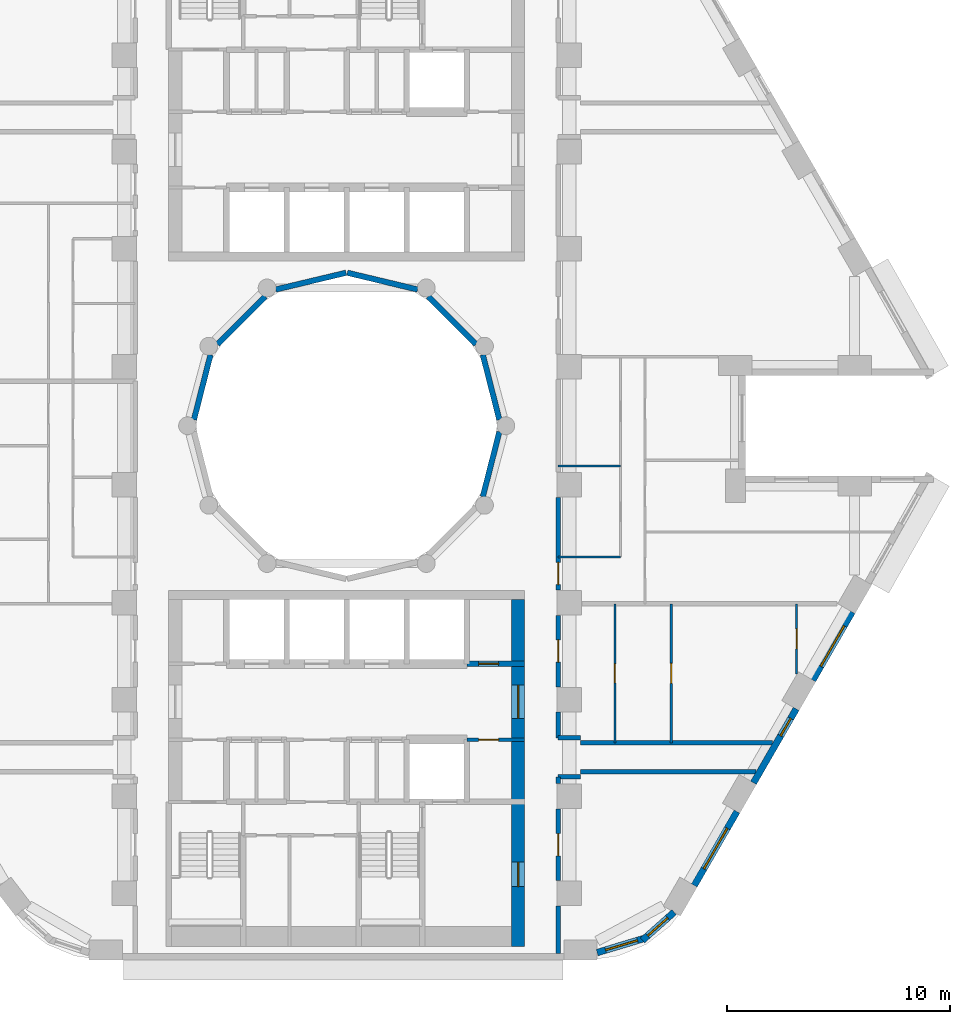
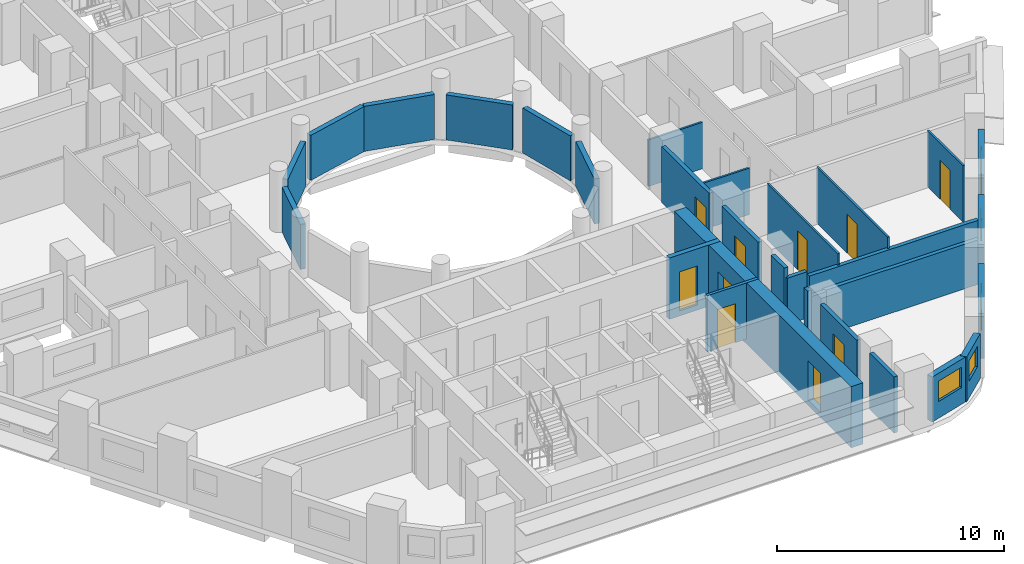
# One storey, part 5 of 12: 30 walls, 10 doors, 5 windows, 15 openings.
"""IFC4 building model written with IfcOpenShell, lengths in metres."""

import ifcopenshell
import ifcopenshell.guid

model = None  # the IFC model being written
_history = None  # IfcOwnerHistory: only IFC2X3 demands one
_inside = {}  # id of a spatial element -> (the spatial element, [elements in it])
_under = {}  # id of a project, library or spatial element -> (it, [spatial elements below it])
_declared = {}  # id of a project -> (the project, [libraries it declares])
_typed = {}  # id of a type object -> (the type object, [elements of that type])
_made_of = {}  # id of a material, layer set ... -> (it, [elements and type objects made of it])


def new_model(schema):
    """Start an empty IFC model of exactly this schema.

    Asked for "IFC4X3", IfcOpenShell would pick the latest addendum, in which some entities
    have other attributes; the version numbers below select the first issue.
    IFC2X3 requires an IfcOwnerHistory on every rooted entity: one is made here for all.
    """
    global model, _history
    if schema == "IFC4X3":
        model = ifcopenshell.file(schema_version=(4, 3, 0, 0))
    else:
        model = ifcopenshell.file(schema=schema)
    _inside.clear()
    _under.clear()
    _declared.clear()
    _typed.clear()
    _made_of.clear()
    _history = None
    if model.schema == "IFC2X3":
        org = make("IfcOrganization", Name="unknown")
        user = make(
            "IfcPersonAndOrganization",
            ThePerson=make("IfcPerson", FamilyName="unknown"),
            TheOrganization=org,
        )
        app = make(
            "IfcApplication",
            ApplicationDeveloper=org,
            Version="unknown",
            ApplicationFullName="unknown",
            ApplicationIdentifier="unknown",
        )
        _history = make(
            "IfcOwnerHistory",
            OwningUser=user,
            OwningApplication=app,
            ChangeAction="ADDED",
            CreationDate=0,
        )
    return model


def make(cls, **values):
    """One entity of the class cls with the attributes given. An attribute that is None is left unset."""
    return model.create_entity(
        cls, **{name: value for name, value in values.items() if value is not None}
    )


def rooted(cls, **values):
    """An entity with a GlobalId (a new one), such as an element, a storey or a relation."""
    return make(cls, GlobalId=ifcopenshell.guid.new(), OwnerHistory=_history, **values)


def si_unit(unit_type, name, prefix=None):
    """IfcSIUnit, for example si_unit("LENGTHUNIT", "METRE", prefix="MILLI")."""
    return make("IfcSIUnit", UnitType=unit_type, Prefix=prefix, Name=name)


def assignment(units):
    """IfcUnitAssignment: the units of a project."""
    return None if units is None else make("IfcUnitAssignment", Units=units)


def point(xyz):
    """IfcCartesianPoint."""
    return None if xyz is None else make("IfcCartesianPoint", Coordinates=xyz)


def direction(xyz):
    """IfcDirection."""
    return None if xyz is None else make("IfcDirection", DirectionRatios=xyz)


def frame(location, z_axis=None, x_axis=None):
    """IfcAxis2Placement3D, a coordinate frame: its origin and axes. An axis left out is left unset."""
    return make(
        "IfcAxis2Placement3D",
        Location=point(location),
        Axis=direction(z_axis),
        RefDirection=direction(x_axis),
    )


def frame_2d(location, x_axis=None):
    """IfcAxis2Placement2D, a coordinate frame in the plane: its origin and x axis."""
    return make(
        "IfcAxis2Placement2D", Location=point(location), RefDirection=direction(x_axis)
    )


def origin():
    """The frame at (0, 0, 0) with its axes left unset."""
    return frame((0.0, 0.0, 0.0))


def place(relative_to, where):
    """IfcLocalPlacement: puts the frame where relative to a parent placement (None: the world)."""
    return make(
        "IfcLocalPlacement", PlacementRelTo=relative_to, RelativePlacement=where
    )


def context(
    kind, dimensions, precision=None, world=None, true_north=None, identifier=None
):
    """IfcGeometricRepresentationContext, for example the 3D "Model" context."""
    return make(
        "IfcGeometricRepresentationContext",
        ContextIdentifier=identifier,
        ContextType=kind,
        CoordinateSpaceDimension=dimensions,
        Precision=precision,
        WorldCoordinateSystem=world,
        TrueNorth=true_north,
    )


def subcontext(parent, identifier, kind, view, scale=None):
    """IfcGeometricRepresentationSubContext, for example "Body" below "Model"."""
    return make(
        "IfcGeometricRepresentationSubContext",
        ContextIdentifier=identifier,
        ContextType=kind,
        ParentContext=parent,
        TargetScale=scale,
        TargetView=view,
    )


def project(units=None, contexts=None):
    """IfcProject with its units and contexts."""
    return rooted(
        "IfcProject",
        Name="project",
        RepresentationContexts=contexts,
        UnitsInContext=assignment(units),
    )


def spatial(cls, under=None, at=None, **own):
    """A site, building, storey or space (cls), placed at a placement, below another one or the project."""
    s = rooted(cls, ObjectPlacement=at, **own)
    if under is not None:
        _under.setdefault(under.id(), (under, []))[1].append(s)
    return s


def profile(cls, at=None, kind="AREA", **sizes):
    """A parametric profile (cls). Its sizes go by their IFC names, for example OverallWidth=200.0."""
    return make(cls, ProfileType=kind, Position=at, **sizes)


def rectangle(**sizes):
    """IfcRectangleProfileDef."""
    return profile("IfcRectangleProfileDef", **sizes)


def extrude(swept, where, along, depth):
    """IfcExtrudedAreaSolid: the profile swept, set in the frame where, extruded along a direction by depth."""
    return make(
        "IfcExtrudedAreaSolid",
        SweptArea=swept,
        Position=where,
        ExtrudedDirection=direction(along),
        Depth=depth,
    )


def shape(context_of_items, identifier, shape_type, items):
    """IfcShapeRepresentation: the items that make up one representation, for example the "Body"."""
    return make(
        "IfcShapeRepresentation",
        ContextOfItems=context_of_items,
        RepresentationIdentifier=identifier,
        RepresentationType=shape_type,
        Items=items,
    )


def material(Name=None, Category=None):
    """IfcMaterial."""
    return make("IfcMaterial", Name=Name, Category=Category)


def layer(
    of_material, thickness, ventilated=None, Name=None, Category=None, Priority=None
):
    """IfcMaterialLayer: one layer of a wall or slab, of a material (None: an air gap)."""
    return make(
        "IfcMaterialLayer",
        Material=of_material,
        LayerThickness=thickness,
        IsVentilated=ventilated,
        Name=Name,
        Category=Category,
        Priority=Priority,
    )


def layer_set(layers, Name=None):
    """IfcMaterialLayerSet."""
    return make("IfcMaterialLayerSet", MaterialLayers=layers, LayerSetName=Name)


def made_of(thing, what):
    """Note that an element or type object is made of a material, layer set ...; save() writes the relation."""
    if what is not None:
        _made_of.setdefault(what.id(), (what, []))[1].append(thing)
    return thing


def type_object(cls, material=None, **own):
    """A type object (cls), such as IfcWallType, which elements share."""
    return made_of(rooted(cls, **own), material)


def element(
    cls,
    number,
    at=None,
    inside=None,
    cuts=None,
    type_object=None,
    material=None,
    context=None,
    identifier="Body",
    shape_type=None,
    held_by="IfcProductDefinitionShape",
    body=None,
    shapes=None,
    **own,
):
    """One element of the class cls, such as IfcWall. Its Tag is "e" and its number.

    at: its placement. inside: the storey or other place that contains it. cuts: it is an
    opening in that element (IfcRelVoidsElement). A single representation is given by context,
    identifier, shape_type and body (its items); several are given by shapes. held_by: the class
    of the entity that holds the representations. save() writes the other relations.
    """
    e = rooted(cls, Tag="e%d" % number, ObjectPlacement=at, **own)
    if body is not None:
        shapes = [shape(context, identifier, shape_type, body)]
    if shapes is not None:
        e.Representation = make(held_by, Representations=shapes)
    if inside is not None:
        _inside.setdefault(inside.id(), (inside, []))[1].append(e)
    if cuts is not None:
        rooted(
            "IfcRelVoidsElement", RelatingBuildingElement=cuts, RelatedOpeningElement=e
        )
    if type_object is not None:
        _typed.setdefault(type_object.id(), (type_object, []))[1].append(e)
    return made_of(e, material)


def fill(opening, filler):
    """IfcRelFillsElement: the door or window that sits in an opening."""
    return rooted(
        "IfcRelFillsElement",
        RelatingOpeningElement=opening,
        RelatedBuildingElement=filler,
    )


def aggregate(whole, parts):
    """IfcRelAggregates: a whole, such as a stair, and the parts it consists of."""
    return rooted("IfcRelAggregates", RelatingObject=whole, RelatedObjects=parts)


def save(model, path):
    """Write the relations noted so far, then the file.

    IfcRelAggregates (storeys below a building ...), IfcRelContainedInSpatialStructure (elements
    in a storey), IfcRelDefinesByType, IfcRelAssociatesMaterial and IfcRelDeclares: one each for
    every whole, place, type object, material and project.
    """
    for whole, parts in _under.values():
        aggregate(whole, parts)
    for where, things in _inside.values():
        rooted(
            "IfcRelContainedInSpatialStructure",
            RelatedElements=things,
            RelatingStructure=where,
        )
    for kind, things in _typed.values():
        rooted("IfcRelDefinesByType", RelatedObjects=things, RelatingType=kind)
    for what, things in _made_of.values():
        rooted("IfcRelAssociatesMaterial", RelatedObjects=things, RelatingMaterial=what)
    for by, libraries in _declared.values():
        rooted("IfcRelDeclares", RelatingContext=by, RelatedDefinitions=libraries)
    model.write(path)


model = new_model("IFC4")

# Units and contexts
model_context = context("Model", 3, precision=1e-05, world=origin(), true_north=direction((0.0, 1.0)))
body_context = subcontext(model_context, "Body", "Model", "MODEL_VIEW")
ifc_project = project(units=[si_unit("LENGTHUNIT", "METRE"), si_unit("AREAUNIT", "SQUARE_METRE"), si_unit("VOLUMEUNIT", "CUBIC_METRE"), si_unit("PLANEANGLEUNIT", "RADIAN"), si_unit("MASSUNIT", "GRAM", prefix="KILO")], contexts=[model_context])

# Site, building, storey
site_placement = place(None, origin())
site = spatial("IfcSite", under=ifc_project, at=site_placement, CompositionType="ELEMENT")
building_placement = place(site_placement, origin())
building = spatial("IfcBuilding", under=site, at=building_placement, Name="Nakaniwa Court", CompositionType="ELEMENT")
storey_placement = place(building_placement, frame((0.0, 0.0, 54.60009765625)))
storey = spatial("IfcBuildingStorey", under=building, at=storey_placement, Name="L14", CompositionType="ELEMENT", Elevation=54.60009765625)

# Wall
ifc_material_1 = material(Name="Acoustic double stud partition")
ifc_layer_1 = layer(ifc_material_1, 0.199951171875)
ifc_layer_set_1 = layer_set([ifc_layer_1], Name="Acoustic double stud partition")
wall_type_1 = type_object("IfcWallType", Name="Acoustic double stud partition 200", PredefinedType="PARTITIONING", material=ifc_layer_set_1)
wall_1_placement = place(storey_placement, frame((89.5, 56.300048828125, 0.0), z_axis=(0.0, 0.0, 1.0), x_axis=(0.0, 1.0, 0.0)))
element("IfcWall", 1, at=wall_1_placement, inside=storey, type_object=wall_type_1, Name="Partition PW-071", PredefinedType="PARTITIONING", context=body_context, shape_type="SweptSolid", body=[
    extrude(rectangle(XDim=2.133056640625, YDim=0.199951171875, at=frame_2d((1.06640625, 0.0))), origin(), (0.0, 0.0, 1.0), 3.02490234375),
])

# Wall, opening, door
wall_2_placement = place(storey_placement, frame((89.5, 62.782958984375, 0.0), z_axis=(0.0, 0.0, 1.0), x_axis=(0.0, -1.0, 0.0)))
wall_2 = element("IfcWall", 2, at=wall_2_placement, inside=storey, type_object=wall_type_1, Name="Partition PW-072", PredefinedType="PARTITIONING", context=body_context, shape_type="SweptSolid", body=[
    extrude(rectangle(XDim=3.216064453125, YDim=0.199951171875, at=frame_2d((1.60791015625, 0.0))), origin(), (0.0, 0.0, 1.0), 3.02490234375),
])
opening_1_placement = place(wall_2_placement, frame((1.10791015625, 0.0, 0.0)))
opening_1 = element("IfcOpeningElement", 3, at=opening_1_placement, cuts=wall_2, Name="Opening D-02-05", PredefinedType="OPENING", context=body_context, shape_type="SweptSolid", body=[
    extrude(rectangle(XDim=1.0, YDim=2.10009765625, at=frame_2d((0.5, 1.050048828125))), frame((0.0, 0.10986328125, 0.0), z_axis=(0.0, -1.0, 0.0), x_axis=(1.0, 0.0, 0.0)), (0.0, 0.0, 1.0), 0.219970703125),
])
ifc_material_2 = material(Name="Solid core timber door set, black veneer", Category="wood")
door_type_1 = type_object("IfcDoorType", Name="Internal door 1000", OperationType="NOTDEFINED", PredefinedType="DOOR", material=ifc_material_2)
door_1_placement = place(opening_1_placement, origin())
door_1 = element("IfcDoor", 4, at=door_1_placement, inside=storey, type_object=door_type_1, Name="Door D-02-05 L14-053", OperationType="SINGLE_SWING_RIGHT", OverallHeight=2.10009765625, OverallWidth=1.0, PredefinedType="DOOR", context=body_context, shape_type="SweptSolid", body=[
    extrude(rectangle(XDim=1.0, YDim=2.10009765625, at=frame_2d((0.5, 1.050048828125))), frame((0.0, 0.02490234375, 0.0), z_axis=(0.0, -1.0, 0.0), x_axis=(1.0, 0.0, 0.0)), (0.0, 0.0, 1.0), 0.050048828125),
])
fill(opening_1, door_1)

# Walls
wall_3_placement = place(storey_placement, frame((89.5, 63.9169921875, 0.0), z_axis=(0.0, 0.0, 1.0), x_axis=(0.0, 1.0, 0.0)))
element("IfcWall", 5, at=wall_3_placement, inside=storey, type_object=wall_type_1, Name="Partition PW-073", PredefinedType="PARTITIONING", context=body_context, shape_type="SweptSolid", body=[
    extrude(rectangle(XDim=0.31103515625, YDim=0.199951171875, at=frame_2d((0.155517578125, 0.0))), origin(), (0.0, 0.0, 1.0), 3.02490234375),
])
wall_4_placement = place(storey_placement, frame((89.5, 65.971923828125, 0.0), z_axis=(0.0, 0.0, 1.0), x_axis=(0.0, 1.0, 0.0)))
element("IfcWall", 6, at=wall_4_placement, inside=storey, type_object=wall_type_1, Name="Partition PW-074", PredefinedType="PARTITIONING", context=body_context, shape_type="SweptSolid", body=[
    extrude(rectangle(XDim=1.1611328125, YDim=0.199951171875, at=frame_2d((0.58056640625, 0.0))), origin(), (0.0, 0.0, 1.0), 3.02490234375),
])

# Wall, opening, door
wall_5_placement = place(storey_placement, frame((89.5, 71.48291015625, 0.0), z_axis=(0.0, 0.0, 1.0), x_axis=(0.0, -1.0, 0.0)))
wall_5 = element("IfcWall", 7, at=wall_5_placement, inside=storey, type_object=wall_type_1, Name="Partition PW-075", PredefinedType="PARTITIONING", context=body_context, shape_type="SweptSolid", body=[
    extrude(rectangle(XDim=3.2158203125, YDim=0.199951171875, at=frame_2d((1.60791015625, 0.0))), origin(), (0.0, 0.0, 1.0), 3.02490234375),
])
opening_2_placement = place(wall_5_placement, frame((1.10791015625, 0.0, 0.0)))
opening_2 = element("IfcOpeningElement", 8, at=opening_2_placement, cuts=wall_5, Name="Opening D-01-01", PredefinedType="OPENING", context=body_context, shape_type="SweptSolid", body=[
    extrude(rectangle(XDim=1.0, YDim=2.10009765625, at=frame_2d((0.5, 1.050048828125))), frame((0.0, 0.10986328125, 0.0), z_axis=(0.0, -1.0, 0.0), x_axis=(1.0, 0.0, 0.0)), (0.0, 0.0, 1.0), 0.219970703125),
])
door_type_2 = type_object("IfcDoorType", Name="Flat entrance door 1000", OperationType="NOTDEFINED", PredefinedType="DOOR", material=ifc_material_2)
door_2_placement = place(opening_2_placement, origin())
door_2 = element("IfcDoor", 9, at=door_2_placement, inside=storey, type_object=door_type_2, Name="Door D-01-01 L14-029", OperationType="SINGLE_SWING_RIGHT", OverallHeight=2.10009765625, OverallWidth=1.0, PredefinedType="DOOR", context=body_context, shape_type="SweptSolid", body=[
    extrude(rectangle(XDim=1.0, YDim=2.10009765625, at=frame_2d((0.5, 1.050048828125))), frame((0.0, 0.02490234375, 0.0), z_axis=(0.0, -1.0, 0.0), x_axis=(1.0, 0.0, 0.0)), (0.0, 0.0, 1.0), 0.050048828125),
])
fill(opening_2, door_2)

wall_6_placement = place(storey_placement, frame((89.5, 76.782958984375, 0.0), z_axis=(0.0, 0.0, 1.0), x_axis=(0.0, -1.0, 0.0)))
wall_6 = element("IfcWall", 10, at=wall_6_placement, inside=storey, type_object=wall_type_1, Name="Partition PW-076", PredefinedType="PARTITIONING", context=body_context, shape_type="SweptSolid", body=[
    extrude(rectangle(XDim=4.166015625, YDim=0.199951171875, at=frame_2d((2.0830078125, 0.0))), origin(), (0.0, 0.0, 1.0), 3.02490234375),
])
opening_3_placement = place(wall_6_placement, frame((2.923095703125, 0.0, 0.0)))
opening_3 = element("IfcOpeningElement", 11, at=opening_3_placement, cuts=wall_6, Name="Opening D-01-02", PredefinedType="OPENING", context=body_context, shape_type="SweptSolid", body=[
    extrude(rectangle(XDim=1.0, YDim=2.10009765625, at=frame_2d((0.5, 1.050048828125))), frame((0.0, 0.10986328125, 0.0), z_axis=(0.0, -1.0, 0.0), x_axis=(1.0, 0.0, 0.0)), (0.0, 0.0, 1.0), 0.219970703125),
])
door_3_placement = place(opening_3_placement, origin())
door_3 = element("IfcDoor", 12, at=door_3_placement, inside=storey, type_object=door_type_2, Name="Door D-01-02 L14-033", OperationType="SINGLE_SWING_RIGHT", OverallHeight=2.10009765625, OverallWidth=1.0, PredefinedType="DOOR", context=body_context, shape_type="SweptSolid", body=[
    extrude(rectangle(XDim=1.0, YDim=2.10009765625, at=frame_2d((0.5, 1.050048828125))), frame((0.0, 0.02490234375, 0.0), z_axis=(0.0, -1.0, 0.0), x_axis=(1.0, 0.0, 0.0)), (0.0, 0.0, 1.0), 0.050048828125),
])
fill(opening_3, door_3)

# Walls
wall_7_placement = place(storey_placement, frame((89.5, 65.97509765625, 0.0), z_axis=(0.0, 0.0, 1.0), x_axis=(1.0, 0.0, 0.0)))
element("IfcWall", 13, at=wall_7_placement, inside=storey, type_object=wall_type_1, Name="Partition PW-092", PredefinedType="PARTITIONING", context=body_context, shape_type="SweptSolid", body=[
    extrude(rectangle(XDim=1.0, YDim=0.199951171875, at=frame_2d((0.5, 0.0))), origin(), (0.0, 0.0, 1.0), 2.5048828125),
])
wall_8_placement = place(storey_placement, frame((90.5, 65.75, 0.0), z_axis=(0.0, 0.0, 1.0), x_axis=(1.0, 0.0, 0.0)))
element("IfcWall", 14, at=wall_8_placement, inside=storey, type_object=wall_type_1, Name="Partition PW-094", PredefinedType="PARTITIONING", context=body_context, shape_type="SweptSolid", body=[
    extrude(rectangle(XDim=8.63916015625, YDim=0.199951171875, at=frame_2d((4.319580078125, 0.0))), origin(), (0.0, 0.0, 1.0), 2.40478515625),
])
wall_9_placement = place(storey_placement, frame((90.5, 64.449951171875, 0.0), z_axis=(0.0, 0.0, 1.0), x_axis=(1.0, 0.0, 0.0)))
element("IfcWall", 15, at=wall_9_placement, inside=storey, type_object=wall_type_1, Name="Partition PW-096", PredefinedType="PARTITIONING", context=body_context, shape_type="SweptSolid", body=[
    extrude(rectangle(XDim=7.888671875, YDim=0.199951171875, at=frame_2d((3.9443359375, 0.0))), origin(), (0.0, 0.0, 1.0), 2.40478515625),
])
wall_10_placement = place(storey_placement, frame((89.5, 64.22509765625, 0.0), z_axis=(0.0, 0.0, 1.0), x_axis=(1.0, 0.0, 0.0)))
element("IfcWall", 16, at=wall_10_placement, inside=storey, type_object=wall_type_1, Name="Partition PW-098", PredefinedType="PARTITIONING", context=body_context, shape_type="SweptSolid", body=[
    extrude(rectangle(XDim=1.0, YDim=0.199951171875, at=frame_2d((0.5, 0.0))), origin(), (0.0, 0.0, 1.0), 2.5048828125),
])

# Wall, opening, window
ifc_material_3 = material(Name="Charcoal ceramic cladding")
ifc_layer_2 = layer(ifc_material_3, 0.02, Name="Ceramic cladding")
ifc_material_4 = material(Name="Ventilated air cavity")
ifc_layer_3 = layer(ifc_material_4, 0.04, ventilated=True, Name="Ventilated cavity")
ifc_material_5 = material(Name="Mineral wool insulation")
ifc_layer_4 = layer(ifc_material_5, 0.1, Name="Insulation")
ifc_material_6 = material(Name="Cement bonded sheathing board")
ifc_layer_5 = layer(ifc_material_6, 0.012, Name="Sheathing")
ifc_material_7 = material(Name="Cold-formed galvanised stud frame with mineral wool infill")
ifc_layer_6 = layer(ifc_material_7, 0.1, Name="Stud frame")
ifc_material_8 = material(Name="Fire-rated gypsum plasterboard lining")
ifc_layer_7 = layer(ifc_material_8, 0.028, Name="Lining")
ifc_layer_set_2 = layer_set([ifc_layer_2, ifc_layer_3, ifc_layer_4, ifc_layer_5, ifc_layer_6, ifc_layer_7], Name="Charcoal ceramic faced external wall system")
wall_type_2 = type_object("IfcWallType", Name="Black ceramic faced external wall 300", PredefinedType="SOLIDWALL", material=ifc_layer_set_2)
wall_11_placement = place(storey_placement, frame((91.25341796875, 56.331298828125, 0.0), z_axis=(0.0, 0.0, 1.0), x_axis=(0.957433631901, 0.288653495569, 0.0)))
wall_11 = element("IfcWall", 17, at=wall_11_placement, inside=storey, type_object=wall_type_2, Name="L14 external wall 27", PredefinedType="SOLIDWALL", context=body_context, shape_type="SweptSolid", body=[
    extrude(rectangle(XDim=2.212646484375, YDim=0.300048828125, at=frame_2d((1.1064453125, 0.0))), origin(), (0.0, 0.0, 1.0), 2.4248046875),
])
opening_4_placement = place(wall_11_placement, frame((0.394287109375, 0.0, 0.89990234375)))
opening_4 = element("IfcOpeningElement", 18, at=opening_4_placement, cuts=wall_11, Name="Opening W5.27", PredefinedType="OPENING", context=body_context, shape_type="SweptSolid", body=[
    extrude(rectangle(XDim=1.5, YDim=1.10009765625, at=frame_2d((0.75, 0.550048828125))), frame((0.0, 0.159912109375, 0.0), z_axis=(0.0, -1.0, 0.0), x_axis=(1.0, 0.0, 0.0)), (0.0, 0.0, 1.0), 0.320068359375),
])
ifc_material_9 = material(Name="Black anodised aluminium frame with dark low-E laminated double glazing", Category="aluminium")
window_type_1 = type_object("IfcWindowType", Name="Dark glass window 1500x1100 sill 900", PartitioningType="SINGLE_PANEL", PredefinedType="WINDOW", material=ifc_material_9)
window_1_placement = place(opening_4_placement, origin())
window_1 = element("IfcWindow", 19, at=window_1_placement, inside=storey, type_object=window_type_1, Name="L14 habitable room window 27-0", OverallHeight=1.10009765625, OverallWidth=1.5, PartitioningType="SINGLE_PANEL", PredefinedType="WINDOW", context=body_context, shape_type="SweptSolid", body=[
    extrude(rectangle(XDim=1.5, YDim=1.10009765625, at=frame_2d((0.75, 0.550048828125))), frame((0.0, 0.030029296875, 0.0), z_axis=(0.0, -1.0, 0.0), x_axis=(1.0, 0.0, 0.0)), (0.0, 0.0, 1.0), 0.06005859375),
])
fill(opening_4, window_1)

wall_12_placement = place(storey_placement, frame((93.288818359375, 56.882568359375, 0.0), z_axis=(0.0, 0.0, 1.0), x_axis=(0.746941556212, 0.664889698825, 0.0)))
wall_12 = element("IfcWall", 20, at=wall_12_placement, inside=storey, type_object=wall_type_2, Name="L14 external wall 28", PredefinedType="SOLIDWALL", context=body_context, shape_type="SweptSolid", body=[
    extrude(rectangle(XDim=1.9013671875, YDim=0.300048828125, at=frame_2d((0.95068359375, 0.0))), origin(), (0.0, 0.0, 1.0), 2.4248046875),
])
opening_5_placement = place(wall_12_placement, frame((0.31005859375, 0.0, 0.89990234375)))
opening_5 = element("IfcOpeningElement", 21, at=opening_5_placement, cuts=wall_12, Name="Opening W6.28", PredefinedType="OPENING", context=body_context, shape_type="SweptSolid", body=[
    extrude(rectangle(XDim=1.199951171875, YDim=1.10009765625, at=frame_2d((0.60009765625, 0.550048828125))), frame((0.0, 0.159912109375, 0.0), z_axis=(0.0, -1.0, 0.0), x_axis=(1.0, 0.0, 0.0)), (0.0, 0.0, 1.0), 0.320068359375),
])
window_type_2 = type_object("IfcWindowType", Name="Dark glass window 1200x1100 sill 900", PartitioningType="SINGLE_PANEL", PredefinedType="WINDOW", material=ifc_material_9)
window_2_placement = place(opening_5_placement, origin())
window_2 = element("IfcWindow", 22, at=window_2_placement, inside=storey, type_object=window_type_2, Name="L14 habitable room window 28-0", OverallHeight=1.10009765625, OverallWidth=1.199951171875, PartitioningType="SINGLE_PANEL", PredefinedType="WINDOW", context=body_context, shape_type="SweptSolid", body=[
    extrude(rectangle(XDim=1.199951171875, YDim=1.10009765625, at=frame_2d((0.60009765625, 0.550048828125))), frame((0.0, 0.030029296875, 0.0), z_axis=(0.0, -1.0, 0.0), x_axis=(1.0, 0.0, 0.0)), (0.0, 0.0, 1.0), 0.06005859375),
])
fill(opening_5, window_2)

wall_13_placement = place(storey_placement, frame((95.615234375, 59.346435546875, 0.0), z_axis=(0.0, 0.0, 1.0), x_axis=(0.499974163209, 0.866040320149, 0.0)))
wall_13 = element("IfcWall", 23, at=wall_13_placement, inside=storey, type_object=wall_type_2, Name="L14 external wall 29", PredefinedType="SOLIDWALL", context=body_context, shape_type="SweptSolid", body=[
    extrude(rectangle(XDim=3.834228515625, YDim=0.300048828125, at=frame_2d((1.9169921875, 0.0))), origin(), (0.0, 0.0, 1.0), 2.4248046875),
])
opening_6_placement = place(wall_13_placement, frame((0.866943359375, 0.0, 0.89990234375)))
opening_6 = element("IfcOpeningElement", 24, at=opening_6_placement, cuts=wall_13, Name="Opening W7.29", PredefinedType="OPENING", context=body_context, shape_type="SweptSolid", body=[
    extrude(rectangle(XDim=2.10009765625, YDim=1.10009765625, at=frame_2d((1.050048828125, 0.550048828125))), frame((0.0, 0.159912109375, 0.0), z_axis=(0.0, -1.0, 0.0), x_axis=(1.0, 0.0, 0.0)), (0.0, 0.0, 1.0), 0.320068359375),
])
window_type_3 = type_object("IfcWindowType", Name="Dark glass window 2100x1100 sill 900", PartitioningType="SINGLE_PANEL", PredefinedType="WINDOW", material=ifc_material_9)
window_3_placement = place(opening_6_placement, origin())
window_3 = element("IfcWindow", 25, at=window_3_placement, inside=storey, type_object=window_type_3, Name="L14 habitable room window 29-0", OverallHeight=1.10009765625, OverallWidth=2.10009765625, PartitioningType="SINGLE_PANEL", PredefinedType="WINDOW", context=body_context, shape_type="SweptSolid", body=[
    extrude(rectangle(XDim=2.10009765625, YDim=1.10009765625, at=frame_2d((1.050048828125, 0.550048828125))), frame((0.0, 0.030029296875, 0.0), z_axis=(0.0, -1.0, 0.0), x_axis=(1.0, 0.0, 0.0)), (0.0, 0.0, 1.0), 0.06005859375),
])
fill(opening_6, window_3)

wall_14_placement = place(storey_placement, frame((98.2783203125, 63.958984375, 0.0), z_axis=(0.0, 0.0, 1.0), x_axis=(0.500001735503, 0.866024401789, 0.0)))
wall_14 = element("IfcWall", 26, at=wall_14_placement, inside=storey, type_object=wall_type_2, Name="L14 external wall 30", PredefinedType="SOLIDWALL", context=body_context, shape_type="SweptSolid", body=[
    extrude(rectangle(XDim=3.833984375, YDim=0.300048828125, at=frame_2d((1.9169921875, 0.0))), origin(), (0.0, 0.0, 1.0), 2.4248046875),
])
opening_7_placement = place(wall_14_placement, frame((2.43994140625, 0.0, 0.89990234375)))
opening_7 = element("IfcOpeningElement", 27, at=opening_7_placement, cuts=wall_14, Name="Opening W9.30", PredefinedType="OPENING", context=body_context, shape_type="SweptSolid", body=[
    extrude(rectangle(XDim=0.89990234375, YDim=1.10009765625, at=frame_2d((0.449951171875, 0.550048828125))), frame((0.0, 0.159912109375, 0.0), z_axis=(0.0, -1.0, 0.0), x_axis=(1.0, 0.0, 0.0)), (0.0, 0.0, 1.0), 0.320068359375),
])
window_type_4 = type_object("IfcWindowType", Name="Dark glass window 900x1100 sill 900", PartitioningType="SINGLE_PANEL", PredefinedType="WINDOW", material=ifc_material_9)
window_4_placement = place(opening_7_placement, origin())
window_4 = element("IfcWindow", 28, at=window_4_placement, inside=storey, type_object=window_type_4, Name="L14 living window 30-2", OverallHeight=1.10009765625, OverallWidth=0.89990234375, PartitioningType="SINGLE_PANEL", PredefinedType="WINDOW", context=body_context, shape_type="SweptSolid", body=[
    extrude(rectangle(XDim=0.89990234375, YDim=1.10009765625, at=frame_2d((0.449951171875, 0.550048828125))), frame((0.0, 0.030029296875, 0.0), z_axis=(0.0, -1.0, 0.0), x_axis=(1.0, 0.0, 0.0)), (0.0, 0.0, 1.0), 0.06005859375),
])
fill(opening_7, window_4)

wall_15_placement = place(storey_placement, frame((100.94140625, 68.5712890625, 0.0), z_axis=(0.0, 0.0, 1.0), x_axis=(0.499977402622, 0.866038449993, 0.0)))
wall_15 = element("IfcWall", 29, at=wall_15_placement, inside=storey, type_object=wall_type_2, Name="L14 external wall 31", PredefinedType="SOLIDWALL", context=body_context, shape_type="SweptSolid", body=[
    extrude(rectangle(XDim=3.536865234375, YDim=0.300048828125, at=frame_2d((1.7685546875, 0.0))), origin(), (0.0, 0.0, 1.0), 2.4248046875),
])
opening_8_placement = place(wall_15_placement, frame((0.718505859375, 0.0, 0.89990234375)))
opening_8 = element("IfcOpeningElement", 30, at=opening_8_placement, cuts=wall_15, Name="Opening W7.31", PredefinedType="OPENING", context=body_context, shape_type="SweptSolid", body=[
    extrude(rectangle(XDim=2.10009765625, YDim=1.10009765625, at=frame_2d((1.050048828125, 0.550048828125))), frame((0.0, 0.159912109375, 0.0), z_axis=(0.0, -1.0, 0.0), x_axis=(1.0, 0.0, 0.0)), (0.0, 0.0, 1.0), 0.320068359375),
])
window_5_placement = place(opening_8_placement, origin())
window_5 = element("IfcWindow", 31, at=window_5_placement, inside=storey, type_object=window_type_3, Name="L14 habitable room window 31-0", OverallHeight=1.10009765625, OverallWidth=2.10009765625, PartitioningType="SINGLE_PANEL", PredefinedType="WINDOW", context=body_context, shape_type="SweptSolid", body=[
    extrude(rectangle(XDim=2.10009765625, YDim=1.10009765625, at=frame_2d((1.050048828125, 0.550048828125))), frame((0.0, 0.030029296875, 0.0), z_axis=(0.0, -1.0, 0.0), x_axis=(1.0, 0.0, 0.0)), (0.0, 0.0, 1.0), 0.06005859375),
])
fill(opening_8, window_5)

# Wall, opening, door
ifc_material_10 = material(Name="Blockwork partition", Category="masonry")
ifc_layer_8 = layer(ifc_material_10, 0.14990234375)
ifc_layer_set_3 = layer_set([ifc_layer_8], Name="Blockwork partition")
wall_type_3 = type_object("IfcWallType", Name="Blockwork partition 150", PredefinedType="PARTITIONING", material=ifc_layer_set_3)
wall_16_placement = place(storey_placement, frame((88.0, 65.89990234375, 0.0), z_axis=(0.0, 0.0, 1.0), x_axis=(-1.0, 0.0, 0.0)))
wall_16 = element("IfcWall", 32, at=wall_16_placement, inside=storey, type_object=wall_type_3, Name="Partition PW-053", PredefinedType="PARTITIONING", context=body_context, shape_type="SweptSolid", body=[
    extrude(rectangle(XDim=2.60302734375, YDim=0.14990234375, at=frame_2d((1.301513671875, 0.0))), origin(), (0.0, 0.0, 1.0), 3.02490234375),
])
opening_9_placement = place(wall_16_placement, frame((1.175048828125, 0.0, 0.0)))
opening_9 = element("IfcOpeningElement", 33, at=opening_9_placement, cuts=wall_16, Name="Opening D-05-16", PredefinedType="OPENING", context=body_context, shape_type="SweptSolid", body=[
    extrude(rectangle(XDim=0.89990234375, YDim=2.10009765625, at=frame_2d((0.449951171875, 1.050048828125))), frame((0.0, 0.0849609375, 0.0), z_axis=(0.0, -1.0, 0.0), x_axis=(1.0, 0.0, 0.0)), (0.0, 0.0, 1.0), 0.169921875),
])
ifc_material_11 = material(Name="Fire rated steel door set", Category="steel")
door_type_3 = type_object("IfcDoorType", Name="Service room door 900", OperationType="NOTDEFINED", PredefinedType="DOOR", material=ifc_material_11)
door_4_placement = place(opening_9_placement, origin())
door_4 = element("IfcDoor", 34, at=door_4_placement, inside=storey, type_object=door_type_3, Name="Door D-05-16 L14-023", OperationType="SINGLE_SWING_RIGHT", OverallHeight=2.10009765625, OverallWidth=0.89990234375, PredefinedType="DOOR", context=body_context, shape_type="SweptSolid", body=[
    extrude(rectangle(XDim=0.89990234375, YDim=2.10009765625, at=frame_2d((0.449951171875, 1.050048828125))), frame((0.0, 0.02490234375, 0.0), z_axis=(0.0, -1.0, 0.0), x_axis=(1.0, 0.0, 0.0)), (0.0, 0.0, 1.0), 0.050048828125),
])
fill(opening_9, door_4)

# Walls
ifc_layer_9 = layer(ifc_material_3, 0.02, Name="Ceramic cladding")
ifc_layer_10 = layer(ifc_material_4, 0.04, ventilated=True, Name="Ventilated cavity")
ifc_layer_11 = layer(ifc_material_5, 0.075, Name="Insulation")
ifc_layer_12 = layer(ifc_material_6, 0.012, Name="Sheathing")
ifc_layer_13 = layer(ifc_material_7, 0.075, Name="Stud frame")
ifc_layer_14 = layer(ifc_material_8, 0.028, Name="Lining")
ifc_layer_set_4 = layer_set([ifc_layer_9, ifc_layer_10, ifc_layer_11, ifc_layer_12, ifc_layer_13, ifc_layer_14], Name="Charcoal ceramic faced external wall system")
wall_type_4 = type_object("IfcWallType", Name="Charcoal ceramic faced well wall 250", PredefinedType="SOLIDWALL", material=ifc_layer_set_4)
for number, where, z_axis, x_axis, name in (
    (35, (86.8603515625, 79.72998046875, 0.0), (0.0, 0.0, 1.0), (-0.247055971283, -0.969001211069, 0.0), "L14 external wall 36"),
    (36, (73.1396484375, 80.27001953125, 0.0), (0.0, 0.0, 1.0), (0.247055971283, 0.969001211069, 0.0), "L14 external wall 42"),
):
    element("IfcWall", number, at=place(storey_placement, frame(where, z_axis=z_axis, x_axis=x_axis)), inside=storey, type_object=wall_type_4, Name=name, PredefinedType="SOLIDWALL", context=body_context, shape_type="SweptSolid", body=[
        extrude(rectangle(XDim=3.010009765625, YDim=0.25, at=frame_2d((1.5048828125, 0.0))), origin(), (0.0, 0.0, 1.0), 2.4248046875),
    ])
wall_17_placement = place(storey_placement, frame((74.1943359375, 83.660888671875, 0.0), z_axis=(0.0, 0.0, 1.0), x_axis=(0.707106781187, 0.707106781187, 0.0)))
element("IfcWall", 37, at=wall_17_placement, inside=storey, type_object=wall_type_4, Name="L14 external wall 43", PredefinedType="SOLIDWALL", context=body_context, shape_type="SweptSolid", body=[
    extrude(rectangle(XDim=3.033203125, YDim=0.25, at=frame_2d((1.5166015625, 0.0))), origin(), (0.0, 0.0, 1.0), 2.4248046875),
])
for number, where, z_axis, x_axis, name in (
    (38, (76.813720703125, 86.119384765625, 0.0), (0.0, 0.0, 1.0), (0.972773113459, 0.231759508395, 0.0), "L14 external wall 44"),
    (39, (80.029052734375, 86.87158203125, 0.0), (0.0, 0.0, 1.0), (0.972773113459, -0.231759508395, 0.0), "L14 external wall 45"),
):
    element("IfcWall", number, at=place(storey_placement, frame(where, z_axis=z_axis, x_axis=x_axis)), inside=storey, type_object=wall_type_4, Name=name, PredefinedType="SOLIDWALL", context=body_context, shape_type="SweptSolid", body=[
        extrude(rectangle(XDim=3.24560546875, YDim=0.25, at=frame_2d((1.622802734375, 0.0))), origin(), (0.0, 0.0, 1.0), 2.4248046875),
    ])
wall_18_placement = place(storey_placement, frame((83.660888671875, 85.8056640625, 0.0), z_axis=(0.0, 0.0, 1.0), x_axis=(0.707106781187, -0.707106781187, 0.0)))
element("IfcWall", 40, at=wall_18_placement, inside=storey, type_object=wall_type_4, Name="L14 external wall 46", PredefinedType="SOLIDWALL", context=body_context, shape_type="SweptSolid", body=[
    extrude(rectangle(XDim=3.033203125, YDim=0.25, at=frame_2d((1.5166015625, 0.0))), origin(), (0.0, 0.0, 1.0), 2.4248046875),
])
wall_19_placement = place(storey_placement, frame((86.11669921875, 83.186767578125, 0.0), z_axis=(0.0, 0.0, 1.0), x_axis=(0.247055971283, -0.969001211069, 0.0)))
element("IfcWall", 41, at=wall_19_placement, inside=storey, type_object=wall_type_4, Name="L14 external wall 47", PredefinedType="SOLIDWALL", context=body_context, shape_type="SweptSolid", body=[
    extrude(rectangle(XDim=3.010009765625, YDim=0.25, at=frame_2d((1.5048828125, 0.0))), origin(), (0.0, 0.0, 1.0), 2.4248046875),
])

# Wall, openings, doors
ifc_material_12 = material(Name="Concrete C100/115", Category="concrete")
ifc_layer_15 = layer(ifc_material_12, 0.60009765625)
ifc_layer_set_5 = layer_set([ifc_layer_15], Name="Concrete C100/115")
wall_type_5 = type_object("IfcWallType", Name="Concrete core side wall 600 C100", PredefinedType="SHEAR", material=ifc_layer_set_5)
wall_20_placement = place(storey_placement, frame((87.699951171875, 72.199951171875, -0.275146484375), z_axis=(0.0, 0.0, 1.0), x_axis=(0.0, -1.0, 0.0)))
wall_20 = element("IfcWall", 42, at=wall_20_placement, inside=storey, type_object=wall_type_5, Name="Core wall SW-50", PredefinedType="SHEAR", context=body_context, shape_type="SweptSolid", body=[
    extrude(rectangle(XDim=15.599853515625, YDim=0.60009765625, at=frame_2d((7.7998046875, 0.0))), origin(), (0.0, 0.0, 1.0), 3.300048828125),
])
opening_10_placement = place(wall_20_placement, frame((3.85009765625, 0.0, 0.27490234375)))
opening_10 = element("IfcOpeningElement", 43, at=opening_10_placement, cuts=wall_20, Name="Opening D-07-03", PredefinedType="OPENING", context=body_context, shape_type="SweptSolid", body=[
    extrude(rectangle(XDim=1.5, YDim=2.10009765625, at=frame_2d((0.75, 1.050048828125))), frame((0.0, 0.31005859375, 0.0), z_axis=(0.0, -1.0, 0.0), x_axis=(1.0, 0.0, 0.0)), (0.0, 0.0, 1.0), 0.6201171875),
])
opening_11_placement = place(wall_20_placement, frame((11.800048828125, 0.0, 0.27490234375)))
opening_11 = element("IfcOpeningElement", 44, at=opening_11_placement, cuts=wall_20, Name="Opening D-10-02", PredefinedType="OPENING", context=body_context, shape_type="SweptSolid", body=[
    extrude(rectangle(XDim=1.10009765625, YDim=2.10009765625, at=frame_2d((0.550048828125, 1.050048828125))), frame((0.0, 0.31005859375, 0.0), z_axis=(0.0, -1.0, 0.0), x_axis=(1.0, 0.0, 0.0)), (0.0, 0.0, 1.0), 0.6201171875),
])
door_type_4 = type_object("IfcDoorType", Name="Firefighting lobby door 1100", OperationType="NOTDEFINED", PredefinedType="DOOR", material=ifc_material_11)
door_5_placement = place(opening_11_placement, origin())
door_5 = element("IfcDoor", 45, at=door_5_placement, inside=storey, type_object=door_type_4, Name="Door D-10-02 L14-061", OperationType="SINGLE_SWING_RIGHT", OverallHeight=2.10009765625, OverallWidth=1.10009765625, PredefinedType="DOOR", context=body_context, shape_type="SweptSolid", body=[
    extrude(rectangle(XDim=1.10009765625, YDim=2.10009765625, at=frame_2d((0.550048828125, 1.050048828125))), frame((0.0, 0.02490234375, 0.0), z_axis=(0.0, -1.0, 0.0), x_axis=(1.0, 0.0, 0.0)), (0.0, 0.0, 1.0), 0.050048828125),
])
fill(opening_11, door_5)
ifc_material_13 = material(Name="Glazed fire rated steel double door set", Category="steel")
door_type_5 = type_object("IfcDoorType", Name="Lobby double door 1500", OperationType="NOTDEFINED", PredefinedType="DOOR", material=ifc_material_13)
door_6_placement = place(opening_10_placement, origin())
door_6 = element("IfcDoor", 46, at=door_6_placement, inside=storey, type_object=door_type_5, Name="Door D-07-03 L14-059", OperationType="DOUBLE_DOOR_SINGLE_SWING", OverallHeight=2.10009765625, OverallWidth=1.5, PredefinedType="DOOR", context=body_context, shape_type="SweptSolid", body=[
    extrude(rectangle(XDim=1.5, YDim=2.10009765625, at=frame_2d((0.75, 1.050048828125))), frame((0.0, 0.02490234375, 0.0), z_axis=(0.0, -1.0, 0.0), x_axis=(1.0, 0.0, 0.0)), (0.0, 0.0, 1.0), 0.050048828125),
])
fill(opening_10, door_6)

# Wall, opening, door
ifc_layer_16 = layer(ifc_material_12, 0.25)
ifc_layer_set_6 = layer_set([ifc_layer_16], Name="Concrete C100/115")
wall_type_6 = type_object("IfcWallType", Name="Concrete shaft wall 250 C100", PredefinedType="SHEAR", material=ifc_layer_set_6)
wall_21_placement = place(storey_placement, frame((85.39990234375, 69.300048828125, -0.275146484375), z_axis=(0.0, 0.0, 1.0), x_axis=(1.0, 0.0, 0.0)))
wall_21 = element("IfcWall", 47, at=wall_21_placement, inside=storey, type_object=wall_type_6, Name="Core wall SW-49", PredefinedType="SHEAR", context=body_context, shape_type="SweptSolid", body=[
    extrude(rectangle(XDim=2.60009765625, YDim=0.25, at=frame_2d((1.300048828125, 0.0))), origin(), (0.0, 0.0, 1.0), 3.300048828125),
])
opening_12_placement = place(wall_21_placement, frame((0.52490234375, 0.0, 0.27490234375)))
opening_12 = element("IfcOpeningElement", 48, at=opening_12_placement, cuts=wall_21, Name="Opening D-05-11", PredefinedType="OPENING", context=body_context, shape_type="SweptSolid", body=[
    extrude(rectangle(XDim=0.89990234375, YDim=2.10009765625, at=frame_2d((0.449951171875, 1.050048828125))), frame((0.0, 0.135009765625, 0.0), z_axis=(0.0, -1.0, 0.0), x_axis=(1.0, 0.0, 0.0)), (0.0, 0.0, 1.0), 0.27001953125),
])
door_7_placement = place(opening_12_placement, origin())
door_7 = element("IfcDoor", 49, at=door_7_placement, inside=storey, type_object=door_type_3, Name="Door D-05-11 L14-016", OperationType="SINGLE_SWING_LEFT", OverallHeight=2.10009765625, OverallWidth=0.89990234375, PredefinedType="DOOR", context=body_context, shape_type="SweptSolid", body=[
    extrude(rectangle(XDim=0.89990234375, YDim=2.10009765625, at=frame_2d((0.449951171875, 1.050048828125))), frame((0.0, 0.02490234375, 0.0), z_axis=(0.0, -1.0, 0.0), x_axis=(1.0, 0.0, 0.0)), (0.0, 0.0, 1.0), 0.050048828125),
])
fill(opening_12, door_7)

ifc_material_14 = material(Name="Single stud plasterboard partition")
ifc_layer_17 = layer(ifc_material_14, 0.10009765625)
ifc_layer_set_7 = layer_set([ifc_layer_17], Name="Single stud plasterboard partition")
wall_type_7 = type_object("IfcWallType", Name="Single stud plasterboard partition 100", PredefinedType="PARTITIONING", material=ifc_layer_set_7)
wall_22_placement = place(storey_placement, frame((92.050048828125, 72.0, 0.0), z_axis=(0.0, 0.0, 1.0), x_axis=(0.0, -1.0, 0.0)))
wall_22 = element("IfcWall", 50, at=wall_22_placement, inside=storey, type_object=wall_type_7, Name="Partition PW-111", PredefinedType="PARTITIONING", context=body_context, shape_type="SweptSolid", body=[
    extrude(rectangle(XDim=6.25, YDim=0.10009765625, at=frame_2d((3.125, 0.0))), origin(), (0.0, 0.0, 1.0), 3.02490234375),
])
opening_13_placement = place(wall_22_placement, frame((2.699951171875, 0.0, 0.0)))
opening_13 = element("IfcOpeningElement", 51, at=opening_13_placement, cuts=wall_22, Name="Opening D-03-01", PredefinedType="OPENING", context=body_context, shape_type="SweptSolid", body=[
    extrude(rectangle(XDim=0.85009765625, YDim=2.10009765625, at=frame_2d((0.425048828125, 1.050048828125))), frame((0.0, 0.06005859375, 0.0), z_axis=(0.0, -1.0, 0.0), x_axis=(1.0, 0.0, 0.0)), (0.0, 0.0, 1.0), 0.1201171875),
])
ifc_material_15 = material(Name="Moisture sealed timber door set", Category="wood")
door_type_6 = type_object("IfcDoorType", Name="Bathroom door 850", OperationType="NOTDEFINED", PredefinedType="DOOR", material=ifc_material_15)
door_8_placement = place(opening_13_placement, origin())
door_8 = element("IfcDoor", 52, at=door_8_placement, inside=storey, type_object=door_type_6, Name="Door D-03-01 L14-030", OperationType="SINGLE_SWING_LEFT", OverallHeight=2.10009765625, OverallWidth=0.85009765625, PredefinedType="DOOR", context=body_context, shape_type="SweptSolid", body=[
    extrude(rectangle(XDim=0.85009765625, YDim=2.10009765625, at=frame_2d((0.425048828125, 1.050048828125))), frame((0.0, 0.02490234375, 0.0), z_axis=(0.0, -1.0, 0.0), x_axis=(1.0, 0.0, 0.0)), (0.0, 0.0, 1.0), 0.050048828125),
])
fill(opening_13, door_8)

wall_23_placement = place(storey_placement, frame((94.583984375, 72.0, 0.0), z_axis=(0.0, 0.0, 1.0), x_axis=(0.0, -1.0, 0.0)))
wall_23 = element("IfcWall", 53, at=wall_23_placement, inside=storey, type_object=wall_type_7, Name="Partition PW-113", PredefinedType="PARTITIONING", context=body_context, shape_type="SweptSolid", body=[
    extrude(rectangle(XDim=6.25, YDim=0.10009765625, at=frame_2d((3.125, 0.0))), origin(), (0.0, 0.0, 1.0), 3.02490234375),
])
opening_14_placement = place(wall_23_placement, frame((2.675048828125, 0.0, 0.0)))
opening_14 = element("IfcOpeningElement", 54, at=opening_14_placement, cuts=wall_23, Name="Opening D-33-01", PredefinedType="OPENING", context=body_context, shape_type="SweptSolid", body=[
    extrude(rectangle(XDim=0.89990234375, YDim=2.10009765625, at=frame_2d((0.449951171875, 1.050048828125))), frame((0.0, 0.06005859375, 0.0), z_axis=(0.0, -1.0, 0.0), x_axis=(1.0, 0.0, 0.0)), (0.0, 0.0, 1.0), 0.1201171875),
])
door_type_7 = type_object("IfcDoorType", Name="Internal door 900", OperationType="NOTDEFINED", PredefinedType="DOOR", material=ifc_material_2)
door_9_placement = place(opening_14_placement, origin())
door_9 = element("IfcDoor", 55, at=door_9_placement, inside=storey, type_object=door_type_7, Name="Door D-33-01 L14-031", OperationType="SINGLE_SWING_RIGHT", OverallHeight=2.10009765625, OverallWidth=0.89990234375, PredefinedType="DOOR", context=body_context, shape_type="SweptSolid", body=[
    extrude(rectangle(XDim=0.89990234375, YDim=2.10009765625, at=frame_2d((0.449951171875, 1.050048828125))), frame((0.0, 0.02490234375, 0.0), z_axis=(0.0, -1.0, 0.0), x_axis=(1.0, 0.0, 0.0)), (0.0, 0.0, 1.0), 0.050048828125),
])
fill(opening_14, door_9)

wall_24_placement = place(storey_placement, frame((100.214111328125, 72.0, 0.0), z_axis=(0.0, 0.0, 1.0), x_axis=(0.0, -1.0, 0.0)))
wall_24 = element("IfcWall", 56, at=wall_24_placement, inside=storey, type_object=wall_type_7, Name="Partition PW-114", PredefinedType="PARTITIONING", context=body_context, shape_type="SweptSolid", body=[
    extrude(rectangle(XDim=3.148193359375, YDim=0.10009765625, at=frame_2d((1.57421875, 0.0))), origin(), (0.0, 0.0, 1.0), 3.02490234375),
])
opening_15_placement = place(wall_24_placement, frame((1.1240234375, 0.0, 0.0)))
opening_15 = element("IfcOpeningElement", 57, at=opening_15_placement, cuts=wall_24, Name="Opening D-33-02", PredefinedType="OPENING", context=body_context, shape_type="SweptSolid", body=[
    extrude(rectangle(XDim=0.89990234375, YDim=2.10009765625, at=frame_2d((0.449951171875, 1.050048828125))), frame((0.0, 0.06005859375, 0.0), z_axis=(0.0, -1.0, 0.0), x_axis=(1.0, 0.0, 0.0)), (0.0, 0.0, 1.0), 0.1201171875),
])
door_10_placement = place(opening_15_placement, origin())
door_10 = element("IfcDoor", 58, at=door_10_placement, inside=storey, type_object=door_type_7, Name="Door D-33-02 L14-032", OperationType="SINGLE_SWING_LEFT", OverallHeight=2.10009765625, OverallWidth=0.89990234375, PredefinedType="DOOR", context=body_context, shape_type="SweptSolid", body=[
    extrude(rectangle(XDim=0.89990234375, YDim=2.10009765625, at=frame_2d((0.449951171875, 1.050048828125))), frame((0.0, 0.02490234375, 0.0), z_axis=(0.0, -1.0, 0.0), x_axis=(1.0, 0.0, 0.0)), (0.0, 0.0, 1.0), 0.050048828125),
])
fill(opening_15, door_10)

# Walls
for number, where, z_axis, x_axis, name in (
    (59, (89.5, 78.19091796875, 0.0), (0.0, 0.0, 1.0), (1.0, 0.0, 0.0), "Partition PW-115"),
    (60, (89.5, 74.10009765625, 0.0), (0.0, 0.0, 1.0), (1.0, 0.0, 0.0), "Partition PW-117"),
):
    element("IfcWall", number, at=place(storey_placement, frame(where, z_axis=z_axis, x_axis=x_axis)), inside=storey, type_object=wall_type_7, Name=name, PredefinedType="PARTITIONING", context=body_context, shape_type="SweptSolid", body=[
        extrude(rectangle(XDim=2.800048828125, YDim=0.10009765625, at=frame_2d((1.39990234375, 0.0))), origin(), (0.0, 0.0, 1.0), 2.5048828125),
    ])

save(model, "model.ifc")
